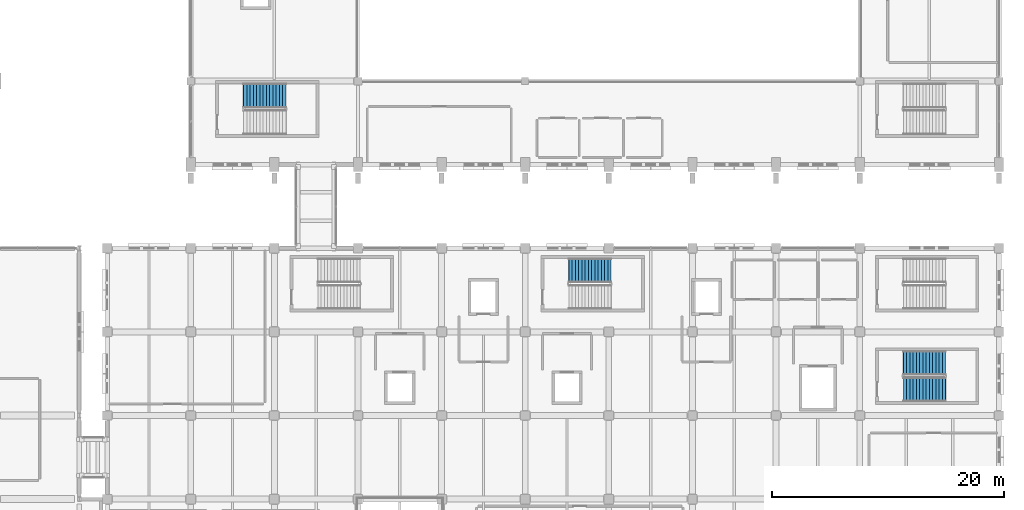
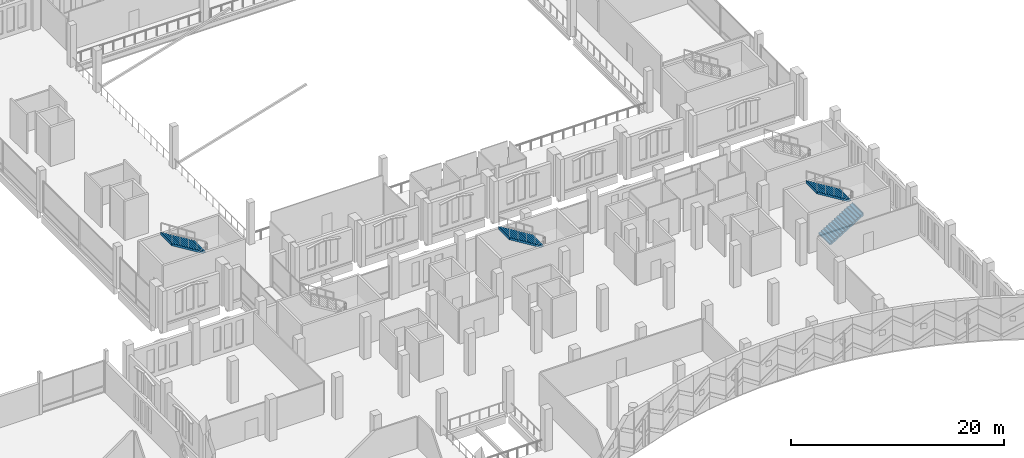
# One storey, part 188 of 220: 4 stair flights, 3 elements without a shape of their own.
"""IFC4 building model written with IfcOpenShell, lengths in metres."""

import ifcopenshell
import ifcopenshell.guid

model = None  # the IFC model being written
_history = None  # IfcOwnerHistory: only IFC2X3 demands one
_inside = {}  # id of a spatial element -> (the spatial element, [elements in it])
_under = {}  # id of a project, library or spatial element -> (it, [spatial elements below it])
_declared = {}  # id of a project -> (the project, [libraries it declares])
_typed = {}  # id of a type object -> (the type object, [elements of that type])
_made_of = {}  # id of a material, layer set ... -> (it, [elements and type objects made of it])


def new_model(schema):
    """Start an empty IFC model of exactly this schema.

    Asked for "IFC4X3", IfcOpenShell would pick the latest addendum, in which some entities
    have other attributes; the version numbers below select the first issue.
    IFC2X3 requires an IfcOwnerHistory on every rooted entity: one is made here for all.
    """
    global model, _history
    if schema == "IFC4X3":
        model = ifcopenshell.file(schema_version=(4, 3, 0, 0))
    else:
        model = ifcopenshell.file(schema=schema)
    _inside.clear()
    _under.clear()
    _declared.clear()
    _typed.clear()
    _made_of.clear()
    _history = None
    if model.schema == "IFC2X3":
        org = make("IfcOrganization", Name="unknown")
        user = make(
            "IfcPersonAndOrganization",
            ThePerson=make("IfcPerson", FamilyName="unknown"),
            TheOrganization=org,
        )
        app = make(
            "IfcApplication",
            ApplicationDeveloper=org,
            Version="unknown",
            ApplicationFullName="unknown",
            ApplicationIdentifier="unknown",
        )
        _history = make(
            "IfcOwnerHistory",
            OwningUser=user,
            OwningApplication=app,
            ChangeAction="ADDED",
            CreationDate=0,
        )
    return model


def make(cls, **values):
    """One entity of the class cls with the attributes given. An attribute that is None is left unset."""
    return model.create_entity(
        cls, **{name: value for name, value in values.items() if value is not None}
    )


def rooted(cls, **values):
    """An entity with a GlobalId (a new one), such as an element, a storey or a relation."""
    return make(cls, GlobalId=ifcopenshell.guid.new(), OwnerHistory=_history, **values)


def si_unit(unit_type, name, prefix=None):
    """IfcSIUnit, for example si_unit("LENGTHUNIT", "METRE", prefix="MILLI")."""
    return make("IfcSIUnit", UnitType=unit_type, Prefix=prefix, Name=name)


def assignment(units):
    """IfcUnitAssignment: the units of a project."""
    return None if units is None else make("IfcUnitAssignment", Units=units)


def point(xyz):
    """IfcCartesianPoint."""
    return None if xyz is None else make("IfcCartesianPoint", Coordinates=xyz)


def direction(xyz):
    """IfcDirection."""
    return None if xyz is None else make("IfcDirection", DirectionRatios=xyz)


def frame(location, z_axis=None, x_axis=None):
    """IfcAxis2Placement3D, a coordinate frame: its origin and axes. An axis left out is left unset."""
    return make(
        "IfcAxis2Placement3D",
        Location=point(location),
        Axis=direction(z_axis),
        RefDirection=direction(x_axis),
    )


def origin():
    """The frame at (0, 0, 0) with its axes left unset."""
    return frame((0.0, 0.0, 0.0))


def place(relative_to, where):
    """IfcLocalPlacement: puts the frame where relative to a parent placement (None: the world)."""
    return make(
        "IfcLocalPlacement", PlacementRelTo=relative_to, RelativePlacement=where
    )


def context(
    kind, dimensions, precision=None, world=None, true_north=None, identifier=None
):
    """IfcGeometricRepresentationContext, for example the 3D "Model" context."""
    return make(
        "IfcGeometricRepresentationContext",
        ContextIdentifier=identifier,
        ContextType=kind,
        CoordinateSpaceDimension=dimensions,
        Precision=precision,
        WorldCoordinateSystem=world,
        TrueNorth=true_north,
    )


def subcontext(parent, identifier, kind, view, scale=None):
    """IfcGeometricRepresentationSubContext, for example "Body" below "Model"."""
    return make(
        "IfcGeometricRepresentationSubContext",
        ContextIdentifier=identifier,
        ContextType=kind,
        ParentContext=parent,
        TargetScale=scale,
        TargetView=view,
    )


def project(units=None, contexts=None):
    """IfcProject with its units and contexts."""
    return rooted(
        "IfcProject",
        Name="project",
        RepresentationContexts=contexts,
        UnitsInContext=assignment(units),
    )


def spatial(cls, under=None, at=None, **own):
    """A site, building, storey or space (cls), placed at a placement, below another one or the project."""
    s = rooted(cls, ObjectPlacement=at, **own)
    if under is not None:
        _under.setdefault(under.id(), (under, []))[1].append(s)
    return s


def point_list(points):
    """IfcCartesianPointList2D or 3D."""
    cls = (
        "IfcCartesianPointList2D" if len(points[0]) == 2 else "IfcCartesianPointList3D"
    )
    return make(cls, CoordList=points)


def triangles(points, corners, closed=None, point_numbers=None):
    """IfcTriangulatedFaceSet: each triangle names its three corners, points numbered from 1."""
    return make(
        "IfcTriangulatedFaceSet",
        Coordinates=point_list(points),
        Closed=closed,
        CoordIndex=corners,
        PnIndex=point_numbers,
    )


def shape(context_of_items, identifier, shape_type, items):
    """IfcShapeRepresentation: the items that make up one representation, for example the "Body"."""
    return make(
        "IfcShapeRepresentation",
        ContextOfItems=context_of_items,
        RepresentationIdentifier=identifier,
        RepresentationType=shape_type,
        Items=items,
    )


def material(Name=None, Category=None):
    """IfcMaterial."""
    return make("IfcMaterial", Name=Name, Category=Category)


def made_of(thing, what):
    """Note that an element or type object is made of a material, layer set ...; save() writes the relation."""
    if what is not None:
        _made_of.setdefault(what.id(), (what, []))[1].append(thing)
    return thing


def type_object(cls, material=None, **own):
    """A type object (cls), such as IfcWallType, which elements share."""
    return made_of(rooted(cls, **own), material)


def element(
    cls,
    number,
    at=None,
    inside=None,
    cuts=None,
    type_object=None,
    material=None,
    context=None,
    identifier="Body",
    shape_type=None,
    held_by="IfcProductDefinitionShape",
    body=None,
    shapes=None,
    **own,
):
    """One element of the class cls, such as IfcWall. Its Tag is "e" and its number.

    at: its placement. inside: the storey or other place that contains it. cuts: it is an
    opening in that element (IfcRelVoidsElement). A single representation is given by context,
    identifier, shape_type and body (its items); several are given by shapes. held_by: the class
    of the entity that holds the representations. save() writes the other relations.
    """
    e = rooted(cls, Tag="e%d" % number, ObjectPlacement=at, **own)
    if body is not None:
        shapes = [shape(context, identifier, shape_type, body)]
    if shapes is not None:
        e.Representation = make(held_by, Representations=shapes)
    if inside is not None:
        _inside.setdefault(inside.id(), (inside, []))[1].append(e)
    if cuts is not None:
        rooted(
            "IfcRelVoidsElement", RelatingBuildingElement=cuts, RelatedOpeningElement=e
        )
    if type_object is not None:
        _typed.setdefault(type_object.id(), (type_object, []))[1].append(e)
    return made_of(e, material)


def aggregate(whole, parts):
    """IfcRelAggregates: a whole, such as a stair, and the parts it consists of."""
    return rooted("IfcRelAggregates", RelatingObject=whole, RelatedObjects=parts)


def save(model, path):
    """Write the relations noted so far, then the file.

    IfcRelAggregates (storeys below a building ...), IfcRelContainedInSpatialStructure (elements
    in a storey), IfcRelDefinesByType, IfcRelAssociatesMaterial and IfcRelDeclares: one each for
    every whole, place, type object, material and project.
    """
    for whole, parts in _under.values():
        aggregate(whole, parts)
    for where, things in _inside.values():
        rooted(
            "IfcRelContainedInSpatialStructure",
            RelatedElements=things,
            RelatingStructure=where,
        )
    for kind, things in _typed.values():
        rooted("IfcRelDefinesByType", RelatedObjects=things, RelatingType=kind)
    for what, things in _made_of.values():
        rooted("IfcRelAssociatesMaterial", RelatedObjects=things, RelatingMaterial=what)
    for by, libraries in _declared.values():
        rooted("IfcRelDeclares", RelatingContext=by, RelatedDefinitions=libraries)
    model.write(path)


model = new_model("IFC4")

# Units and contexts
model_context = context("Model", 3, precision=1e-05, world=origin(), true_north=direction((0.0, 1.0)))
body_context = subcontext(model_context, "Body", "Model", "MODEL_VIEW")
ifc_project = project(units=[si_unit("LENGTHUNIT", "METRE"), si_unit("AREAUNIT", "SQUARE_METRE"), si_unit("VOLUMEUNIT", "CUBIC_METRE"), si_unit("PLANEANGLEUNIT", "RADIAN"), si_unit("MASSUNIT", "GRAM", prefix="KILO")], contexts=[model_context])

# Site, building, storey
site_placement = place(None, origin())
site = spatial("IfcSite", under=ifc_project, at=site_placement, CompositionType="ELEMENT")
building_placement = place(site_placement, origin())
building = spatial("IfcBuilding", under=site, at=building_placement, Name="Cendralis Lancet Convention Centre", CompositionType="ELEMENT")
storey_placement = place(building_placement, frame((0.0, 0.0, 5.39990234375)))
storey = spatial("IfcBuildingStorey", under=building, at=storey_placement, Name="L01", CompositionType="ELEMENT", Elevation=5.39990234375)

# Stair, stair flight
ifc_material = material(Name="Concrete G35 (C35/45)", Category="concrete")
stair_type = type_object("IfcStairType", Name="ARC-ST-CORE", PredefinedType="HALF_TURN_STAIR", material=ifc_material)
stair_1_placement = place(storey_placement, origin())
stair_1 = element("IfcStair", 1, at=stair_1_placement, inside=storey, type_object=stair_type, Name="L01 Protected Exit Stair ST-08", PredefinedType="HALF_TURN_STAIR")
stair_flight_type = type_object("IfcStairFlightType", Name="ARC-SF-CORE", PredefinedType="STRAIGHT", material=ifc_material)
stair_flight_1_placement = place(storey_placement, frame((147.389892578125, 49.1298828125, 2.400146484375), z_axis=(0.0, 0.0, 1.0), x_axis=(-1.0, 0.0, 0.0)))
stair_flight_1 = element("IfcStairFlight", 2, at=stair_flight_1_placement, type_object=stair_flight_type, Name="ST-08 flight 2", NumberOfRisers=14, NumberOfTreads=13, PredefinedType="STRAIGHT", RiserHeight=0.171428571, TreadLength=0.28, context=body_context, shape_type="Tessellation", body=[
    triangles([(0.0, 0.0, 0.085714), (0.0, 1.050049, 0.0), (0.0, -1.050049, 0.0), (0.0, -1.050049, 0.171429), (0.0, 1.050049, 0.171429), (0.14, 0.0, 0.171429), (0.28, -1.050049, 0.171429), (0.28, 1.050049, 0.171429), (0.14, 0.0, 0.0), (0.28, -1.050049, 0.0), (0.28, 1.050049, 0.0), (0.28, 0.0, 0.257143), (0.28, -1.050049, 0.342857), (0.28, 1.050049, 0.342857), (0.283543, 0.0, 0.342857), (0.287085, -1.050049, 0.342857), (0.287085, 1.050049, 0.342857), (0.283543, 0.0, 0.0), (0.287085, -1.050049, 0.0), (0.287085, 1.050049, 0.0), (0.423543, 0.0, 0.342857), (0.56, -1.050049, 0.342857), (0.56, 1.050049, 0.342857), (0.423543, 0.0, 0.083545), (0.56, -1.050049, 0.167091), (0.56, 1.050049, 0.167091), (0.56, 0.0, 0.428572), (0.56, -1.050049, 0.514286), (0.56, 1.050049, 0.514286), (0.7, 0.0, 0.514286), (0.84, -1.050049, 0.514286), (0.84, 1.050049, 0.514286), (0.7, 0.0, 0.252806), (0.84, -1.050049, 0.33852), (0.84, 1.050049, 0.33852), (0.84, 0.0, 0.6), (0.84, -1.050049, 0.685714), (0.84, 1.050049, 0.685714), (0.98, 0.0, 0.685714), (1.12, -1.050049, 0.685714), (1.12, 1.050049, 0.685714), (0.98, 0.0, 0.424234), (1.12, -1.050049, 0.509948), (1.12, 1.050049, 0.509948), (1.12, 0.0, 0.771429), (1.12, -1.050049, 0.857143), (1.12, 1.050049, 0.857143), (1.26, 0.0, 0.857143), (1.4, -1.050049, 0.857143), (1.4, 1.050049, 0.857143), (1.26, 0.0, 0.595662), (1.4, -1.050049, 0.681377), (1.4, 1.050049, 0.681377), (1.4, 0.0, 0.942857), (1.4, -1.050049, 1.028571), (1.4, 1.050049, 1.028571), (1.54, 0.0, 1.028571), (1.68, -1.050049, 1.028571), (1.68, 1.050049, 1.028571), (1.54, 0.0, 0.767091), (1.68, -1.050049, 0.852805), (1.68, 1.050049, 0.852805), (1.68, 0.0, 1.114286), (1.68, -1.050049, 1.2), (1.68, 1.050049, 1.2), (1.82, 0.0, 1.2), (1.96, -1.050049, 1.2), (1.96, 1.050049, 1.2), (1.82, 0.0, 0.938519), (1.96, -1.050049, 1.024234), (1.96, 1.050049, 1.024234), (1.96, 0.0, 1.285715), (1.96, -1.050049, 1.371429), (1.96, 1.050049, 1.371429), (2.1, 0.0, 1.371429), (2.24, -1.050049, 1.371429), (2.24, 1.050049, 1.371429), (2.1, 0.0, 1.109948), (2.24, -1.050049, 1.195662), (2.24, 1.050049, 1.195662), (2.24, 0.0, 1.457143), (2.24, -1.050049, 1.542857), (2.24, 1.050049, 1.542857), (2.38, 0.0, 1.542857), (2.52, -1.050049, 1.542857), (2.52, 1.050049, 1.542857), (2.38, 0.0, 1.281376), (2.52, -1.050049, 1.367091), (2.52, 1.050049, 1.367091), (2.52, 0.0, 1.628572), (2.52, -1.050049, 1.714286), (2.52, 1.050049, 1.714286), (2.66, 0.0, 1.714286), (2.8, -1.050049, 1.714286), (2.8, 1.050049, 1.714286), (2.66, 0.0, 1.452806), (2.8, -1.050049, 1.53852), (2.8, 1.050049, 1.53852), (2.8, 0.0, 1.8), (2.8, -1.050049, 1.885714), (2.8, 1.050049, 1.885714), (2.94, 0.0, 1.885714), (3.08, -1.050049, 1.885714), (3.08, 1.050049, 1.885714), (2.94, 0.0, 1.624234), (3.08, -1.050049, 1.709948), (3.08, 1.050049, 1.709948), (3.08, 0.0, 1.971429), (3.08, -1.050049, 2.057143), (3.08, 1.050049, 2.057143), (3.22, 0.0, 2.057143), (3.36, -1.050049, 2.057143), (3.36, 1.050049, 2.057143), (3.22, 0.0, 1.795663), (3.36, -1.050049, 1.881377), (3.36, 1.050049, 1.881377), (3.36, 0.0, 2.142857), (3.36, -1.050049, 2.228571), (3.36, 1.050049, 2.228571), (3.5, 0.0, 2.228571), (3.64, -1.050049, 2.228571), (3.64, 1.050049, 2.228571), (3.5, 0.0, 1.967091), (3.64, -1.050049, 2.052805), (3.64, 1.050049, 2.052805), (3.64, 0.0, 2.314285), (3.64, -1.050049, 2.4), (3.64, 1.050049, 2.4), (3.66, 0.0, 2.4), (3.68, -1.050049, 2.4), (3.68, 1.050049, 2.4), (3.66, 0.0, 2.052805), (3.68, -1.050049, 2.052805), (3.68, 1.050049, 2.052805), (3.68, 0.0, 2.226403)], [[2, 3, 1], [3, 4, 1], [4, 5, 1], [5, 2, 1], [4, 7, 6], [7, 8, 6], [8, 5, 6], [5, 4, 6], [10, 3, 9], [3, 2, 9], [2, 11, 9], [11, 10, 9], [3, 10, 7], [3, 7, 4], [2, 8, 11], [2, 5, 8], [8, 7, 12], [7, 13, 12], [13, 14, 12], [14, 8, 12], [13, 16, 15], [16, 17, 15], [17, 14, 15], [14, 13, 15], [19, 10, 18], [10, 11, 18], [11, 20, 18], [20, 19, 18], [10, 19, 16], [10, 16, 7], [7, 16, 13], [11, 17, 20], [11, 8, 17], [8, 14, 17], [16, 22, 21], [22, 23, 21], [23, 17, 21], [17, 16, 21], [25, 19, 24], [19, 20, 24], [20, 26, 24], [26, 25, 24], [19, 25, 22], [19, 22, 16], [20, 23, 26], [20, 17, 23], [23, 22, 27], [22, 28, 27], [28, 29, 27], [29, 23, 27], [28, 31, 30], [31, 32, 30], [32, 29, 30], [29, 28, 30], [34, 25, 33], [25, 26, 33], [26, 35, 33], [35, 34, 33], [25, 34, 31], [25, 31, 22], [22, 31, 28], [26, 32, 35], [26, 23, 32], [23, 29, 32], [32, 31, 36], [31, 37, 36], [37, 38, 36], [38, 32, 36], [37, 40, 39], [40, 41, 39], [41, 38, 39], [38, 37, 39], [43, 34, 42], [34, 35, 42], [35, 44, 42], [44, 43, 42], [34, 43, 40], [34, 40, 31], [31, 40, 37], [35, 41, 44], [35, 32, 41], [32, 38, 41], [41, 40, 45], [40, 46, 45], [46, 47, 45], [47, 41, 45], [46, 49, 48], [49, 50, 48], [50, 47, 48], [47, 46, 48], [52, 43, 51], [43, 44, 51], [44, 53, 51], [53, 52, 51], [43, 52, 49], [43, 49, 40], [40, 49, 46], [44, 50, 53], [44, 41, 50], [41, 47, 50], [50, 49, 54], [49, 55, 54], [55, 56, 54], [56, 50, 54], [55, 58, 57], [58, 59, 57], [59, 56, 57], [56, 55, 57], [61, 52, 60], [52, 53, 60], [53, 62, 60], [62, 61, 60], [52, 61, 58], [52, 58, 49], [49, 58, 55], [53, 59, 62], [53, 50, 59], [50, 56, 59], [59, 58, 63], [58, 64, 63], [64, 65, 63], [65, 59, 63], [64, 67, 66], [67, 68, 66], [68, 65, 66], [65, 64, 66], [70, 61, 69], [61, 62, 69], [62, 71, 69], [71, 70, 69], [61, 70, 67], [61, 67, 58], [58, 67, 64], [62, 68, 71], [62, 59, 68], [59, 65, 68], [68, 67, 72], [67, 73, 72], [73, 74, 72], [74, 68, 72], [73, 76, 75], [76, 77, 75], [77, 74, 75], [74, 73, 75], [79, 70, 78], [70, 71, 78], [71, 80, 78], [80, 79, 78], [70, 79, 76], [70, 76, 67], [67, 76, 73], [71, 77, 80], [71, 68, 77], [68, 74, 77], [77, 76, 81], [76, 82, 81], [82, 83, 81], [83, 77, 81], [82, 85, 84], [85, 86, 84], [86, 83, 84], [83, 82, 84], [88, 79, 87], [79, 80, 87], [80, 89, 87], [89, 88, 87], [79, 88, 85], [79, 85, 76], [76, 85, 82], [80, 86, 89], [80, 77, 86], [77, 83, 86], [86, 85, 90], [85, 91, 90], [91, 92, 90], [92, 86, 90], [91, 94, 93], [94, 95, 93], [95, 92, 93], [92, 91, 93], [97, 88, 96], [88, 89, 96], [89, 98, 96], [98, 97, 96], [88, 97, 94], [88, 94, 85], [85, 94, 91], [89, 95, 98], [89, 86, 95], [86, 92, 95], [95, 94, 99], [94, 100, 99], [100, 101, 99], [101, 95, 99], [100, 103, 102], [103, 104, 102], [104, 101, 102], [101, 100, 102], [106, 97, 105], [97, 98, 105], [98, 107, 105], [107, 106, 105], [97, 106, 103], [97, 103, 94], [94, 103, 100], [98, 104, 107], [98, 95, 104], [95, 101, 104], [104, 103, 108], [103, 109, 108], [109, 110, 108], [110, 104, 108], [109, 112, 111], [112, 113, 111], [113, 110, 111], [110, 109, 111], [115, 106, 114], [106, 107, 114], [107, 116, 114], [116, 115, 114], [106, 115, 112], [106, 112, 103], [103, 112, 109], [107, 113, 116], [107, 104, 113], [104, 110, 113], [113, 112, 117], [112, 118, 117], [118, 119, 117], [119, 113, 117], [118, 121, 120], [121, 122, 120], [122, 119, 120], [119, 118, 120], [124, 115, 123], [115, 116, 123], [116, 125, 123], [125, 124, 123], [115, 124, 121], [115, 121, 112], [112, 121, 118], [116, 122, 125], [116, 113, 122], [113, 119, 122], [122, 121, 126], [121, 127, 126], [127, 128, 126], [128, 122, 126], [127, 130, 129], [130, 131, 129], [131, 128, 129], [128, 127, 129], [133, 124, 132], [124, 125, 132], [125, 134, 132], [134, 133, 132], [124, 133, 130], [124, 130, 121], [121, 130, 127], [125, 131, 134], [125, 122, 131], [122, 128, 131], [133, 134, 135], [134, 131, 135], [131, 130, 135], [130, 133, 135]], closed=True),
])
aggregate(stair_1, [stair_flight_1])

stair_2_placement = place(storey_placement, origin())
stair_2 = element("IfcStair", 3, at=stair_2_placement, inside=storey, type_object=stair_type, Name="L01 Protected Exit Stair ST-14", PredefinedType="HALF_TURN_STAIR")
stair_flight_2_placement = place(storey_placement, frame((175.389892578125, 34.080078125, 2.400146484375), z_axis=(0.0, 0.0, 1.0), x_axis=(-1.0, 0.0, 0.0)))
stair_flight_2 = element("IfcStairFlight", 4, at=stair_flight_2_placement, type_object=stair_flight_type, Name="ST-14 flight 2", NumberOfRisers=14, NumberOfTreads=13, PredefinedType="STRAIGHT", RiserHeight=0.171428571, TreadLength=0.28, context=body_context, shape_type="Tessellation", body=[
    triangles([(0.0, 0.0, 0.085714), (0.0, 1.050049, 0.0), (0.0, -1.050049, 0.0), (0.0, -1.050049, 0.171429), (0.0, 1.050049, 0.171429), (0.14, 0.0, 0.171429), (0.28, -1.050049, 0.171429), (0.28, 1.050049, 0.171429), (0.14, 0.0, 0.0), (0.28, -1.050049, 0.0), (0.28, 1.050049, 0.0), (0.28, 0.0, 0.257143), (0.28, -1.050049, 0.342857), (0.28, 1.050049, 0.342857), (0.283543, 0.0, 0.342857), (0.287085, -1.050049, 0.342857), (0.287085, 1.050049, 0.342857), (0.283543, 0.0, 0.0), (0.287085, -1.050049, 0.0), (0.287085, 1.050049, 0.0), (0.423543, 0.0, 0.342857), (0.56, -1.050049, 0.342857), (0.56, 1.050049, 0.342857), (0.423543, 0.0, 0.083545), (0.56, -1.050049, 0.167091), (0.56, 1.050049, 0.167091), (0.56, 0.0, 0.428572), (0.56, -1.050049, 0.514286), (0.56, 1.050049, 0.514286), (0.7, 0.0, 0.514286), (0.84, -1.050049, 0.514286), (0.84, 1.050049, 0.514286), (0.7, 0.0, 0.252806), (0.84, -1.050049, 0.33852), (0.84, 1.050049, 0.33852), (0.84, 0.0, 0.6), (0.84, -1.050049, 0.685714), (0.84, 1.050049, 0.685714), (0.98, 0.0, 0.685714), (1.12, -1.050049, 0.685714), (1.12, 1.050049, 0.685714), (0.98, 0.0, 0.424234), (1.12, -1.050049, 0.509948), (1.12, 1.050049, 0.509948), (1.12, 0.0, 0.771429), (1.12, -1.050049, 0.857143), (1.12, 1.050049, 0.857143), (1.26, 0.0, 0.857143), (1.4, -1.050049, 0.857143), (1.4, 1.050049, 0.857143), (1.26, 0.0, 0.595662), (1.4, -1.050049, 0.681377), (1.4, 1.050049, 0.681377), (1.4, 0.0, 0.942857), (1.4, -1.050049, 1.028571), (1.4, 1.050049, 1.028571), (1.54, 0.0, 1.028571), (1.68, -1.050049, 1.028571), (1.68, 1.050049, 1.028571), (1.54, 0.0, 0.767091), (1.68, -1.050049, 0.852805), (1.68, 1.050049, 0.852805), (1.68, 0.0, 1.114286), (1.68, -1.050049, 1.2), (1.68, 1.050049, 1.2), (1.82, 0.0, 1.2), (1.96, -1.050049, 1.2), (1.96, 1.050049, 1.2), (1.82, 0.0, 0.938519), (1.96, -1.050049, 1.024234), (1.96, 1.050049, 1.024234), (1.96, 0.0, 1.285715), (1.96, -1.050049, 1.371429), (1.96, 1.050049, 1.371429), (2.1, 0.0, 1.371429), (2.24, -1.050049, 1.371429), (2.24, 1.050049, 1.371429), (2.1, 0.0, 1.109948), (2.24, -1.050049, 1.195662), (2.24, 1.050049, 1.195662), (2.24, 0.0, 1.457143), (2.24, -1.050049, 1.542857), (2.24, 1.050049, 1.542857), (2.38, 0.0, 1.542857), (2.52, -1.050049, 1.542857), (2.52, 1.050049, 1.542857), (2.38, 0.0, 1.281376), (2.52, -1.050049, 1.367091), (2.52, 1.050049, 1.367091), (2.52, 0.0, 1.628572), (2.52, -1.050049, 1.714286), (2.52, 1.050049, 1.714286), (2.66, 0.0, 1.714286), (2.8, -1.050049, 1.714286), (2.8, 1.050049, 1.714286), (2.66, 0.0, 1.452806), (2.8, -1.050049, 1.53852), (2.8, 1.050049, 1.53852), (2.8, 0.0, 1.8), (2.8, -1.050049, 1.885714), (2.8, 1.050049, 1.885714), (2.94, 0.0, 1.885714), (3.08, -1.050049, 1.885714), (3.08, 1.050049, 1.885714), (2.94, 0.0, 1.624234), (3.08, -1.050049, 1.709948), (3.08, 1.050049, 1.709948), (3.08, 0.0, 1.971429), (3.08, -1.050049, 2.057143), (3.08, 1.050049, 2.057143), (3.22, 0.0, 2.057143), (3.36, -1.050049, 2.057143), (3.36, 1.050049, 2.057143), (3.22, 0.0, 1.795663), (3.36, -1.050049, 1.881377), (3.36, 1.050049, 1.881377), (3.36, 0.0, 2.142857), (3.36, -1.050049, 2.228571), (3.36, 1.050049, 2.228571), (3.5, 0.0, 2.228571), (3.64, -1.050049, 2.228571), (3.64, 1.050049, 2.228571), (3.5, 0.0, 1.967091), (3.64, -1.050049, 2.052805), (3.64, 1.050049, 2.052805), (3.64, 0.0, 2.314285), (3.64, -1.050049, 2.4), (3.64, 1.050049, 2.4), (3.66, 0.0, 2.4), (3.68, -1.050049, 2.4), (3.68, 1.050049, 2.4), (3.66, 0.0, 2.052805), (3.68, -1.050049, 2.052805), (3.68, 1.050049, 2.052805), (3.68, 0.0, 2.226403)], [[2, 3, 1], [3, 4, 1], [4, 5, 1], [5, 2, 1], [4, 7, 6], [7, 8, 6], [8, 5, 6], [5, 4, 6], [10, 3, 9], [3, 2, 9], [2, 11, 9], [11, 10, 9], [3, 10, 7], [3, 7, 4], [2, 8, 11], [2, 5, 8], [8, 7, 12], [7, 13, 12], [13, 14, 12], [14, 8, 12], [13, 16, 15], [16, 17, 15], [17, 14, 15], [14, 13, 15], [19, 10, 18], [10, 11, 18], [11, 20, 18], [20, 19, 18], [10, 19, 16], [10, 16, 7], [7, 16, 13], [11, 17, 20], [11, 8, 17], [8, 14, 17], [16, 22, 21], [22, 23, 21], [23, 17, 21], [17, 16, 21], [25, 19, 24], [19, 20, 24], [20, 26, 24], [26, 25, 24], [19, 25, 22], [19, 22, 16], [20, 23, 26], [20, 17, 23], [23, 22, 27], [22, 28, 27], [28, 29, 27], [29, 23, 27], [28, 31, 30], [31, 32, 30], [32, 29, 30], [29, 28, 30], [34, 25, 33], [25, 26, 33], [26, 35, 33], [35, 34, 33], [25, 34, 31], [25, 31, 22], [22, 31, 28], [26, 32, 35], [26, 23, 32], [23, 29, 32], [32, 31, 36], [31, 37, 36], [37, 38, 36], [38, 32, 36], [37, 40, 39], [40, 41, 39], [41, 38, 39], [38, 37, 39], [43, 34, 42], [34, 35, 42], [35, 44, 42], [44, 43, 42], [34, 43, 40], [34, 40, 31], [31, 40, 37], [35, 41, 44], [35, 32, 41], [32, 38, 41], [41, 40, 45], [40, 46, 45], [46, 47, 45], [47, 41, 45], [46, 49, 48], [49, 50, 48], [50, 47, 48], [47, 46, 48], [52, 43, 51], [43, 44, 51], [44, 53, 51], [53, 52, 51], [43, 52, 49], [43, 49, 40], [40, 49, 46], [44, 50, 53], [44, 41, 50], [41, 47, 50], [50, 49, 54], [49, 55, 54], [55, 56, 54], [56, 50, 54], [55, 58, 57], [58, 59, 57], [59, 56, 57], [56, 55, 57], [61, 52, 60], [52, 53, 60], [53, 62, 60], [62, 61, 60], [52, 61, 58], [52, 58, 49], [49, 58, 55], [53, 59, 62], [53, 50, 59], [50, 56, 59], [59, 58, 63], [58, 64, 63], [64, 65, 63], [65, 59, 63], [64, 67, 66], [67, 68, 66], [68, 65, 66], [65, 64, 66], [70, 61, 69], [61, 62, 69], [62, 71, 69], [71, 70, 69], [61, 70, 67], [61, 67, 58], [58, 67, 64], [62, 68, 71], [62, 59, 68], [59, 65, 68], [68, 67, 72], [67, 73, 72], [73, 74, 72], [74, 68, 72], [73, 76, 75], [76, 77, 75], [77, 74, 75], [74, 73, 75], [79, 70, 78], [70, 71, 78], [71, 80, 78], [80, 79, 78], [70, 79, 76], [70, 76, 67], [67, 76, 73], [71, 77, 80], [71, 68, 77], [68, 74, 77], [77, 76, 81], [76, 82, 81], [82, 83, 81], [83, 77, 81], [82, 85, 84], [85, 86, 84], [86, 83, 84], [83, 82, 84], [88, 79, 87], [79, 80, 87], [80, 89, 87], [89, 88, 87], [79, 88, 85], [79, 85, 76], [76, 85, 82], [80, 86, 89], [80, 77, 86], [77, 83, 86], [86, 85, 90], [85, 91, 90], [91, 92, 90], [92, 86, 90], [91, 94, 93], [94, 95, 93], [95, 92, 93], [92, 91, 93], [97, 88, 96], [88, 89, 96], [89, 98, 96], [98, 97, 96], [88, 97, 94], [88, 94, 85], [85, 94, 91], [89, 95, 98], [89, 86, 95], [86, 92, 95], [95, 94, 99], [94, 100, 99], [100, 101, 99], [101, 95, 99], [100, 103, 102], [103, 104, 102], [104, 101, 102], [101, 100, 102], [106, 97, 105], [97, 98, 105], [98, 107, 105], [107, 106, 105], [97, 106, 103], [97, 103, 94], [94, 103, 100], [98, 104, 107], [98, 95, 104], [95, 101, 104], [104, 103, 108], [103, 109, 108], [109, 110, 108], [110, 104, 108], [109, 112, 111], [112, 113, 111], [113, 110, 111], [110, 109, 111], [115, 106, 114], [106, 107, 114], [107, 116, 114], [116, 115, 114], [106, 115, 112], [106, 112, 103], [103, 112, 109], [107, 113, 116], [107, 104, 113], [104, 110, 113], [113, 112, 117], [112, 118, 117], [118, 119, 117], [119, 113, 117], [118, 121, 120], [121, 122, 120], [122, 119, 120], [119, 118, 120], [124, 115, 123], [115, 116, 123], [116, 125, 123], [125, 124, 123], [115, 124, 121], [115, 121, 112], [112, 121, 118], [116, 122, 125], [116, 113, 122], [113, 119, 122], [122, 121, 126], [121, 127, 126], [127, 128, 126], [128, 122, 126], [127, 130, 129], [130, 131, 129], [131, 128, 129], [128, 127, 129], [133, 124, 132], [124, 125, 132], [125, 134, 132], [134, 133, 132], [124, 133, 130], [124, 130, 121], [121, 130, 127], [125, 131, 134], [125, 122, 131], [122, 128, 131], [133, 134, 135], [134, 131, 135], [131, 130, 135], [130, 133, 135]], closed=True),
])
aggregate(stair_2, [stair_flight_2])

# Stair, stair flights
stair_3_placement = place(storey_placement, origin())
stair_3 = element("IfcStair", 5, at=stair_3_placement, inside=storey, type_object=stair_type, Name="L01 Protected Exit Stair ST-15", PredefinedType="HALF_TURN_STAIR")
stair_flight_3_placement = place(storey_placement, frame((200.550048828125, 23.85009765625, 0.0), z_axis=(0.0, 0.0, 1.0), x_axis=(1.0, 0.0, 0.0)))
stair_flight_3 = element("IfcStairFlight", 6, at=stair_flight_3_placement, type_object=stair_flight_type, Name="ST-15 flight 1", NumberOfRisers=14, NumberOfTreads=13, PredefinedType="STRAIGHT", RiserHeight=0.171428571, TreadLength=0.28, context=body_context, shape_type="Tessellation", body=[
    triangles([(0.0, 0.0, 0.085714), (0.0, 1.050049, 0.0), (0.0, -1.050049, 0.0), (0.0, -1.050049, 0.171429), (0.0, 1.050049, 0.171429), (0.14, 0.0, 0.171429), (0.28, -1.050049, 0.171429), (0.28, 1.050049, 0.171429), (0.14, 0.0, 0.0), (0.28, -1.050049, 0.0), (0.28, 1.050049, 0.0), (0.28, 0.0, 0.257143), (0.28, -1.050049, 0.342857), (0.28, 1.050049, 0.342857), (0.283543, 0.0, 0.342857), (0.287085, -1.050049, 0.342857), (0.287085, 1.050049, 0.342857), (0.283543, 0.0, 0.0), (0.287085, -1.050049, 0.0), (0.287085, 1.050049, 0.0), (0.423543, 0.0, 0.342857), (0.56, -1.050049, 0.342857), (0.56, 1.050049, 0.342857), (0.423543, 0.0, 0.083545), (0.56, -1.050049, 0.167091), (0.56, 1.050049, 0.167091), (0.56, 0.0, 0.428572), (0.56, -1.050049, 0.514286), (0.56, 1.050049, 0.514286), (0.7, 0.0, 0.514286), (0.84, -1.050049, 0.514286), (0.84, 1.050049, 0.514286), (0.7, 0.0, 0.252806), (0.84, -1.050049, 0.33852), (0.84, 1.050049, 0.33852), (0.84, 0.0, 0.6), (0.84, -1.050049, 0.685714), (0.84, 1.050049, 0.685714), (0.98, 0.0, 0.685714), (1.12, -1.050049, 0.685714), (1.12, 1.050049, 0.685714), (0.98, 0.0, 0.424234), (1.12, -1.050049, 0.509948), (1.12, 1.050049, 0.509948), (1.12, 0.0, 0.771429), (1.12, -1.050049, 0.857143), (1.12, 1.050049, 0.857143), (1.26, 0.0, 0.857143), (1.4, -1.050049, 0.857143), (1.4, 1.050049, 0.857143), (1.26, 0.0, 0.595662), (1.4, -1.050049, 0.681377), (1.4, 1.050049, 0.681377), (1.4, 0.0, 0.942857), (1.4, -1.050049, 1.028571), (1.4, 1.050049, 1.028571), (1.54, 0.0, 1.028571), (1.68, -1.050049, 1.028571), (1.68, 1.050049, 1.028571), (1.54, 0.0, 0.767091), (1.68, -1.050049, 0.852805), (1.68, 1.050049, 0.852805), (1.68, 0.0, 1.114286), (1.68, -1.050049, 1.2), (1.68, 1.050049, 1.2), (1.82, 0.0, 1.2), (1.96, -1.050049, 1.2), (1.96, 1.050049, 1.2), (1.82, 0.0, 0.938519), (1.96, -1.050049, 1.024234), (1.96, 1.050049, 1.024234), (1.96, 0.0, 1.285715), (1.96, -1.050049, 1.371429), (1.96, 1.050049, 1.371429), (2.1, 0.0, 1.371429), (2.24, -1.050049, 1.371429), (2.24, 1.050049, 1.371429), (2.1, 0.0, 1.109948), (2.24, -1.050049, 1.195662), (2.24, 1.050049, 1.195662), (2.24, 0.0, 1.457143), (2.24, -1.050049, 1.542857), (2.24, 1.050049, 1.542857), (2.38, 0.0, 1.542857), (2.52, -1.050049, 1.542857), (2.52, 1.050049, 1.542857), (2.38, 0.0, 1.281376), (2.52, -1.050049, 1.367091), (2.52, 1.050049, 1.367091), (2.52, 0.0, 1.628572), (2.52, -1.050049, 1.714286), (2.52, 1.050049, 1.714286), (2.66, 0.0, 1.714286), (2.8, -1.050049, 1.714286), (2.8, 1.050049, 1.714286), (2.66, 0.0, 1.452806), (2.8, -1.050049, 1.53852), (2.8, 1.050049, 1.53852), (2.8, 0.0, 1.8), (2.8, -1.050049, 1.885714), (2.8, 1.050049, 1.885714), (2.94, 0.0, 1.885714), (3.08, -1.050049, 1.885714), (3.08, 1.050049, 1.885714), (2.94, 0.0, 1.624234), (3.08, -1.050049, 1.709948), (3.08, 1.050049, 1.709948), (3.08, 0.0, 1.971429), (3.08, -1.050049, 2.057143), (3.08, 1.050049, 2.057143), (3.22, 0.0, 2.057143), (3.36, -1.050049, 2.057143), (3.36, 1.050049, 2.057143), (3.22, 0.0, 1.795663), (3.36, -1.050049, 1.881377), (3.36, 1.050049, 1.881377), (3.36, 0.0, 2.142857), (3.36, -1.050049, 2.228571), (3.36, 1.050049, 2.228571), (3.5, 0.0, 2.228571), (3.64, -1.050049, 2.228571), (3.64, 1.050049, 2.228571), (3.5, 0.0, 1.967091), (3.64, -1.050049, 2.052805), (3.64, 1.050049, 2.052805), (3.64, 0.0, 2.314285), (3.64, -1.050049, 2.4), (3.64, 1.050049, 2.4), (3.66, 0.0, 2.4), (3.68, -1.050049, 2.4), (3.68, 1.050049, 2.4), (3.66, 0.0, 2.052805), (3.68, -1.050049, 2.052805), (3.68, 1.050049, 2.052805), (3.68, 0.0, 2.226403)], [[2, 3, 1], [3, 4, 1], [4, 5, 1], [5, 2, 1], [4, 7, 6], [7, 8, 6], [8, 5, 6], [5, 4, 6], [10, 3, 9], [3, 2, 9], [2, 11, 9], [11, 10, 9], [3, 10, 7], [3, 7, 4], [2, 8, 11], [2, 5, 8], [8, 7, 12], [7, 13, 12], [13, 14, 12], [14, 8, 12], [13, 16, 15], [16, 17, 15], [17, 14, 15], [14, 13, 15], [19, 10, 18], [10, 11, 18], [11, 20, 18], [20, 19, 18], [10, 19, 16], [10, 16, 7], [7, 16, 13], [11, 17, 20], [11, 8, 17], [8, 14, 17], [16, 22, 21], [22, 23, 21], [23, 17, 21], [17, 16, 21], [25, 19, 24], [19, 20, 24], [20, 26, 24], [26, 25, 24], [19, 25, 22], [19, 22, 16], [20, 23, 26], [20, 17, 23], [23, 22, 27], [22, 28, 27], [28, 29, 27], [29, 23, 27], [28, 31, 30], [31, 32, 30], [32, 29, 30], [29, 28, 30], [34, 25, 33], [25, 26, 33], [26, 35, 33], [35, 34, 33], [25, 34, 31], [25, 31, 22], [22, 31, 28], [26, 32, 35], [26, 23, 32], [23, 29, 32], [32, 31, 36], [31, 37, 36], [37, 38, 36], [38, 32, 36], [37, 40, 39], [40, 41, 39], [41, 38, 39], [38, 37, 39], [43, 34, 42], [34, 35, 42], [35, 44, 42], [44, 43, 42], [34, 43, 40], [34, 40, 31], [31, 40, 37], [35, 41, 44], [35, 32, 41], [32, 38, 41], [41, 40, 45], [40, 46, 45], [46, 47, 45], [47, 41, 45], [46, 49, 48], [49, 50, 48], [50, 47, 48], [47, 46, 48], [52, 43, 51], [43, 44, 51], [44, 53, 51], [53, 52, 51], [43, 52, 49], [43, 49, 40], [40, 49, 46], [44, 50, 53], [44, 41, 50], [41, 47, 50], [50, 49, 54], [49, 55, 54], [55, 56, 54], [56, 50, 54], [55, 58, 57], [58, 59, 57], [59, 56, 57], [56, 55, 57], [61, 52, 60], [52, 53, 60], [53, 62, 60], [62, 61, 60], [52, 61, 58], [52, 58, 49], [49, 58, 55], [53, 59, 62], [53, 50, 59], [50, 56, 59], [59, 58, 63], [58, 64, 63], [64, 65, 63], [65, 59, 63], [64, 67, 66], [67, 68, 66], [68, 65, 66], [65, 64, 66], [70, 61, 69], [61, 62, 69], [62, 71, 69], [71, 70, 69], [61, 70, 67], [61, 67, 58], [58, 67, 64], [62, 68, 71], [62, 59, 68], [59, 65, 68], [68, 67, 72], [67, 73, 72], [73, 74, 72], [74, 68, 72], [73, 76, 75], [76, 77, 75], [77, 74, 75], [74, 73, 75], [79, 70, 78], [70, 71, 78], [71, 80, 78], [80, 79, 78], [70, 79, 76], [70, 76, 67], [67, 76, 73], [71, 77, 80], [71, 68, 77], [68, 74, 77], [77, 76, 81], [76, 82, 81], [82, 83, 81], [83, 77, 81], [82, 85, 84], [85, 86, 84], [86, 83, 84], [83, 82, 84], [88, 79, 87], [79, 80, 87], [80, 89, 87], [89, 88, 87], [79, 88, 85], [79, 85, 76], [76, 85, 82], [80, 86, 89], [80, 77, 86], [77, 83, 86], [86, 85, 90], [85, 91, 90], [91, 92, 90], [92, 86, 90], [91, 94, 93], [94, 95, 93], [95, 92, 93], [92, 91, 93], [97, 88, 96], [88, 89, 96], [89, 98, 96], [98, 97, 96], [88, 97, 94], [88, 94, 85], [85, 94, 91], [89, 95, 98], [89, 86, 95], [86, 92, 95], [95, 94, 99], [94, 100, 99], [100, 101, 99], [101, 95, 99], [100, 103, 102], [103, 104, 102], [104, 101, 102], [101, 100, 102], [106, 97, 105], [97, 98, 105], [98, 107, 105], [107, 106, 105], [97, 106, 103], [97, 103, 94], [94, 103, 100], [98, 104, 107], [98, 95, 104], [95, 101, 104], [104, 103, 108], [103, 109, 108], [109, 110, 108], [110, 104, 108], [109, 112, 111], [112, 113, 111], [113, 110, 111], [110, 109, 111], [115, 106, 114], [106, 107, 114], [107, 116, 114], [116, 115, 114], [106, 115, 112], [106, 112, 103], [103, 112, 109], [107, 113, 116], [107, 104, 113], [104, 110, 113], [113, 112, 117], [112, 118, 117], [118, 119, 117], [119, 113, 117], [118, 121, 120], [121, 122, 120], [122, 119, 120], [119, 118, 120], [124, 115, 123], [115, 116, 123], [116, 125, 123], [125, 124, 123], [115, 124, 121], [115, 121, 112], [112, 121, 118], [116, 122, 125], [116, 113, 122], [113, 119, 122], [122, 121, 126], [121, 127, 126], [127, 128, 126], [128, 122, 126], [127, 130, 129], [130, 131, 129], [131, 128, 129], [128, 127, 129], [133, 124, 132], [124, 125, 132], [125, 134, 132], [134, 133, 132], [124, 133, 130], [124, 130, 121], [121, 130, 127], [125, 131, 134], [125, 122, 131], [122, 128, 131], [133, 134, 135], [134, 131, 135], [131, 130, 135], [130, 133, 135]], closed=True),
])
stair_flight_4_placement = place(storey_placement, frame((204.18994140625, 26.1298828125, 2.400146484375), z_axis=(0.0, 0.0, 1.0), x_axis=(-1.0, 0.0, 0.0)))
stair_flight_4 = element("IfcStairFlight", 7, at=stair_flight_4_placement, type_object=stair_flight_type, Name="ST-15 flight 2", NumberOfRisers=14, NumberOfTreads=13, PredefinedType="STRAIGHT", RiserHeight=0.171428571, TreadLength=0.28, context=body_context, shape_type="Tessellation", body=[
    triangles([(0.0, 0.0, 0.085714), (0.0, 1.050049, 0.0), (0.0, -1.050049, 0.0), (0.0, -1.050049, 0.171429), (0.0, 1.050049, 0.171429), (0.14, 0.0, 0.171429), (0.28, -1.050049, 0.171429), (0.28, 1.050049, 0.171429), (0.14, 0.0, 0.0), (0.28, -1.050049, 0.0), (0.28, 1.050049, 0.0), (0.28, 0.0, 0.257143), (0.28, -1.050049, 0.342857), (0.28, 1.050049, 0.342857), (0.283543, 0.0, 0.342857), (0.287085, -1.050049, 0.342857), (0.287085, 1.050049, 0.342857), (0.283543, 0.0, 0.0), (0.287085, -1.050049, 0.0), (0.287085, 1.050049, 0.0), (0.423543, 0.0, 0.342857), (0.56, -1.050049, 0.342857), (0.56, 1.050049, 0.342857), (0.423543, 0.0, 0.083545), (0.56, -1.050049, 0.167091), (0.56, 1.050049, 0.167091), (0.56, 0.0, 0.428572), (0.56, -1.050049, 0.514286), (0.56, 1.050049, 0.514286), (0.7, 0.0, 0.514286), (0.84, -1.050049, 0.514286), (0.84, 1.050049, 0.514286), (0.7, 0.0, 0.252806), (0.84, -1.050049, 0.33852), (0.84, 1.050049, 0.33852), (0.84, 0.0, 0.6), (0.84, -1.050049, 0.685714), (0.84, 1.050049, 0.685714), (0.98, 0.0, 0.685714), (1.12, -1.050049, 0.685714), (1.12, 1.050049, 0.685714), (0.98, 0.0, 0.424234), (1.12, -1.050049, 0.509948), (1.12, 1.050049, 0.509948), (1.12, 0.0, 0.771429), (1.12, -1.050049, 0.857143), (1.12, 1.050049, 0.857143), (1.26, 0.0, 0.857143), (1.4, -1.050049, 0.857143), (1.4, 1.050049, 0.857143), (1.26, 0.0, 0.595662), (1.4, -1.050049, 0.681377), (1.4, 1.050049, 0.681377), (1.4, 0.0, 0.942857), (1.4, -1.050049, 1.028571), (1.4, 1.050049, 1.028571), (1.54, 0.0, 1.028571), (1.68, -1.050049, 1.028571), (1.68, 1.050049, 1.028571), (1.54, 0.0, 0.767091), (1.68, -1.050049, 0.852805), (1.68, 1.050049, 0.852805), (1.68, 0.0, 1.114286), (1.68, -1.050049, 1.2), (1.68, 1.050049, 1.2), (1.82, 0.0, 1.2), (1.96, -1.050049, 1.2), (1.96, 1.050049, 1.2), (1.82, 0.0, 0.938519), (1.96, -1.050049, 1.024234), (1.96, 1.050049, 1.024234), (1.96, 0.0, 1.285715), (1.96, -1.050049, 1.371429), (1.96, 1.050049, 1.371429), (2.1, 0.0, 1.371429), (2.24, -1.050049, 1.371429), (2.24, 1.050049, 1.371429), (2.1, 0.0, 1.109948), (2.24, -1.050049, 1.195662), (2.24, 1.050049, 1.195662), (2.24, 0.0, 1.457143), (2.24, -1.050049, 1.542857), (2.24, 1.050049, 1.542857), (2.38, 0.0, 1.542857), (2.52, -1.050049, 1.542857), (2.52, 1.050049, 1.542857), (2.38, 0.0, 1.281376), (2.52, -1.050049, 1.367091), (2.52, 1.050049, 1.367091), (2.52, 0.0, 1.628572), (2.52, -1.050049, 1.714286), (2.52, 1.050049, 1.714286), (2.66, 0.0, 1.714286), (2.8, -1.050049, 1.714286), (2.8, 1.050049, 1.714286), (2.66, 0.0, 1.452806), (2.8, -1.050049, 1.53852), (2.8, 1.050049, 1.53852), (2.8, 0.0, 1.8), (2.8, -1.050049, 1.885714), (2.8, 1.050049, 1.885714), (2.94, 0.0, 1.885714), (3.08, -1.050049, 1.885714), (3.08, 1.050049, 1.885714), (2.94, 0.0, 1.624234), (3.08, -1.050049, 1.709948), (3.08, 1.050049, 1.709948), (3.08, 0.0, 1.971429), (3.08, -1.050049, 2.057143), (3.08, 1.050049, 2.057143), (3.22, 0.0, 2.057143), (3.36, -1.050049, 2.057143), (3.36, 1.050049, 2.057143), (3.22, 0.0, 1.795663), (3.36, -1.050049, 1.881377), (3.36, 1.050049, 1.881377), (3.36, 0.0, 2.142857), (3.36, -1.050049, 2.228571), (3.36, 1.050049, 2.228571), (3.5, 0.0, 2.228571), (3.64, -1.050049, 2.228571), (3.64, 1.050049, 2.228571), (3.5, 0.0, 1.967091), (3.64, -1.050049, 2.052805), (3.64, 1.050049, 2.052805), (3.64, 0.0, 2.314285), (3.64, -1.050049, 2.4), (3.64, 1.050049, 2.4), (3.66, 0.0, 2.4), (3.68, -1.050049, 2.4), (3.68, 1.050049, 2.4), (3.66, 0.0, 2.052805), (3.68, -1.050049, 2.052805), (3.68, 1.050049, 2.052805), (3.68, 0.0, 2.226403)], [[2, 3, 1], [3, 4, 1], [4, 5, 1], [5, 2, 1], [4, 7, 6], [7, 8, 6], [8, 5, 6], [5, 4, 6], [10, 3, 9], [3, 2, 9], [2, 11, 9], [11, 10, 9], [3, 10, 7], [3, 7, 4], [2, 8, 11], [2, 5, 8], [8, 7, 12], [7, 13, 12], [13, 14, 12], [14, 8, 12], [13, 16, 15], [16, 17, 15], [17, 14, 15], [14, 13, 15], [19, 10, 18], [10, 11, 18], [11, 20, 18], [20, 19, 18], [10, 19, 16], [10, 16, 7], [7, 16, 13], [11, 17, 20], [11, 8, 17], [8, 14, 17], [16, 22, 21], [22, 23, 21], [23, 17, 21], [17, 16, 21], [25, 19, 24], [19, 20, 24], [20, 26, 24], [26, 25, 24], [19, 25, 22], [19, 22, 16], [20, 23, 26], [20, 17, 23], [23, 22, 27], [22, 28, 27], [28, 29, 27], [29, 23, 27], [28, 31, 30], [31, 32, 30], [32, 29, 30], [29, 28, 30], [34, 25, 33], [25, 26, 33], [26, 35, 33], [35, 34, 33], [25, 34, 31], [25, 31, 22], [22, 31, 28], [26, 32, 35], [26, 23, 32], [23, 29, 32], [32, 31, 36], [31, 37, 36], [37, 38, 36], [38, 32, 36], [37, 40, 39], [40, 41, 39], [41, 38, 39], [38, 37, 39], [43, 34, 42], [34, 35, 42], [35, 44, 42], [44, 43, 42], [34, 43, 40], [34, 40, 31], [31, 40, 37], [35, 41, 44], [35, 32, 41], [32, 38, 41], [41, 40, 45], [40, 46, 45], [46, 47, 45], [47, 41, 45], [46, 49, 48], [49, 50, 48], [50, 47, 48], [47, 46, 48], [52, 43, 51], [43, 44, 51], [44, 53, 51], [53, 52, 51], [43, 52, 49], [43, 49, 40], [40, 49, 46], [44, 50, 53], [44, 41, 50], [41, 47, 50], [50, 49, 54], [49, 55, 54], [55, 56, 54], [56, 50, 54], [55, 58, 57], [58, 59, 57], [59, 56, 57], [56, 55, 57], [61, 52, 60], [52, 53, 60], [53, 62, 60], [62, 61, 60], [52, 61, 58], [52, 58, 49], [49, 58, 55], [53, 59, 62], [53, 50, 59], [50, 56, 59], [59, 58, 63], [58, 64, 63], [64, 65, 63], [65, 59, 63], [64, 67, 66], [67, 68, 66], [68, 65, 66], [65, 64, 66], [70, 61, 69], [61, 62, 69], [62, 71, 69], [71, 70, 69], [61, 70, 67], [61, 67, 58], [58, 67, 64], [62, 68, 71], [62, 59, 68], [59, 65, 68], [68, 67, 72], [67, 73, 72], [73, 74, 72], [74, 68, 72], [73, 76, 75], [76, 77, 75], [77, 74, 75], [74, 73, 75], [79, 70, 78], [70, 71, 78], [71, 80, 78], [80, 79, 78], [70, 79, 76], [70, 76, 67], [67, 76, 73], [71, 77, 80], [71, 68, 77], [68, 74, 77], [77, 76, 81], [76, 82, 81], [82, 83, 81], [83, 77, 81], [82, 85, 84], [85, 86, 84], [86, 83, 84], [83, 82, 84], [88, 79, 87], [79, 80, 87], [80, 89, 87], [89, 88, 87], [79, 88, 85], [79, 85, 76], [76, 85, 82], [80, 86, 89], [80, 77, 86], [77, 83, 86], [86, 85, 90], [85, 91, 90], [91, 92, 90], [92, 86, 90], [91, 94, 93], [94, 95, 93], [95, 92, 93], [92, 91, 93], [97, 88, 96], [88, 89, 96], [89, 98, 96], [98, 97, 96], [88, 97, 94], [88, 94, 85], [85, 94, 91], [89, 95, 98], [89, 86, 95], [86, 92, 95], [95, 94, 99], [94, 100, 99], [100, 101, 99], [101, 95, 99], [100, 103, 102], [103, 104, 102], [104, 101, 102], [101, 100, 102], [106, 97, 105], [97, 98, 105], [98, 107, 105], [107, 106, 105], [97, 106, 103], [97, 103, 94], [94, 103, 100], [98, 104, 107], [98, 95, 104], [95, 101, 104], [104, 103, 108], [103, 109, 108], [109, 110, 108], [110, 104, 108], [109, 112, 111], [112, 113, 111], [113, 110, 111], [110, 109, 111], [115, 106, 114], [106, 107, 114], [107, 116, 114], [116, 115, 114], [106, 115, 112], [106, 112, 103], [103, 112, 109], [107, 113, 116], [107, 104, 113], [104, 110, 113], [113, 112, 117], [112, 118, 117], [118, 119, 117], [119, 113, 117], [118, 121, 120], [121, 122, 120], [122, 119, 120], [119, 118, 120], [124, 115, 123], [115, 116, 123], [116, 125, 123], [125, 124, 123], [115, 124, 121], [115, 121, 112], [112, 121, 118], [116, 122, 125], [116, 113, 122], [113, 119, 122], [122, 121, 126], [121, 127, 126], [127, 128, 126], [128, 122, 126], [127, 130, 129], [130, 131, 129], [131, 128, 129], [128, 127, 129], [133, 124, 132], [124, 125, 132], [125, 134, 132], [134, 133, 132], [124, 133, 130], [124, 130, 121], [121, 130, 127], [125, 131, 134], [125, 122, 131], [122, 128, 131], [133, 134, 135], [134, 131, 135], [131, 130, 135], [130, 133, 135]], closed=True),
])
aggregate(stair_3, [stair_flight_3, stair_flight_4])

save(model, "model.ifc")
